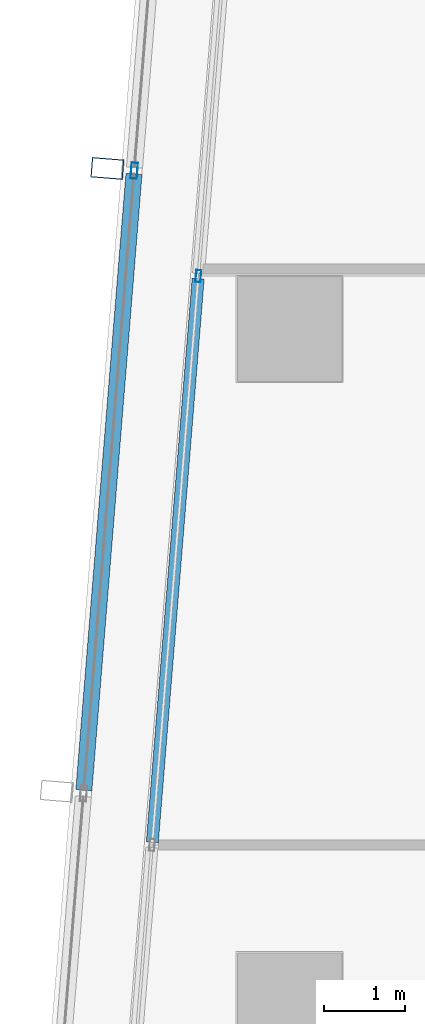
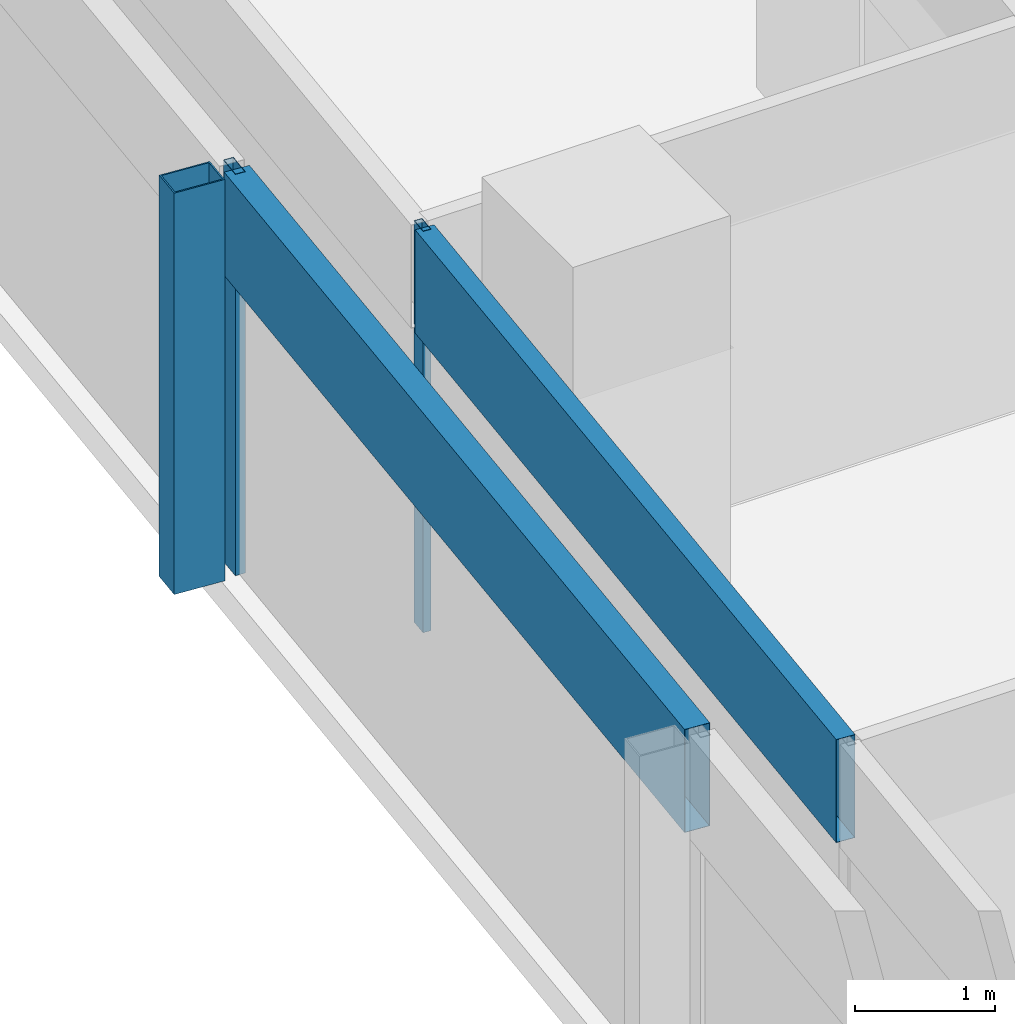
# One storey, part 8 of 28: 5 members, 2 elements without a shape of their own.
"""IFC4 building model written with IfcOpenShell, lengths in metres."""

from ifc_helpers import new_model, si_unit, direction, frame, origin, origin_2d, place, context, subcontext, project, spatial, hollow_rectangle, extrude, material, material_profile, profile_set, type_object, element, aggregate, save


model = new_model("IFC4")

# Units and contexts
model_context = context("Model", 3, precision=1e-05, world=origin(), true_north=direction((0.0, 1.0)))
body_context = subcontext(model_context, "Body", "Model", "MODEL_VIEW")
ifc_project = project(units=[si_unit("LENGTHUNIT", "METRE"), si_unit("AREAUNIT", "SQUARE_METRE"), si_unit("VOLUMEUNIT", "CUBIC_METRE"), si_unit("PLANEANGLEUNIT", "RADIAN"), si_unit("MASSUNIT", "GRAM", prefix="KILO")], contexts=[model_context])

# Site, building, storey
site_placement = place(None, origin())
site = spatial("IfcSite", under=ifc_project, at=site_placement, CompositionType="ELEMENT")
building_placement = place(site_placement, origin())
building = spatial("IfcBuilding", under=site, at=building_placement, Name="Rekha Terrace Tower", CompositionType="ELEMENT")
storey_placement = place(building_placement, frame((0.0, 0.0, 253.85009765625)))
storey = spatial("IfcBuildingStorey", under=building, at=storey_placement, Name="L64", CompositionType="ELEMENT", Elevation=253.85009765625)

# Curtain wall, member
ifc_material_1 = material(Name="Aluminium framing", Category="aluminium")
curtain_wall_type_1 = type_object("IfcCurtainWallType", Name="CW2 double skin outer glazing", PredefinedType="USERDEFINED", material=ifc_material_1)
curtain_wall_1_placement = place(storey_placement, origin())
curtain_wall_1 = element("IfcCurtainWall", 1, at=curtain_wall_1_placement, inside=storey, type_object=curtain_wall_type_1, Name="CW2 double skin outer glazing", ObjectType="DOUBLE SKIN OUTER GLAZING", PredefinedType="USERDEFINED")
ifc_material_2 = material(Name="Steel S355 with fluorocarbon finish", Category="steel")
ifc_material_profile_1 = material_profile(ifc_material_2, hollow_rectangle(XDim=0.25, YDim=0.39990234375, WallThickness=0.012451171875, at=origin_2d()), Name="RHS400x250x12.5")
ifc_profile_set_1 = profile_set([ifc_material_profile_1], Name="Steel S355 with fluorocarbon finish")
member_type_1 = type_object("IfcMemberType", Name="BL1 facade blade RHS 400 x 250", PredefinedType="USERDEFINED", material=ifc_profile_set_1)
member_1_placement = place(storey_placement, frame((6.135498046875, 43.9931640625, 0.0), z_axis=(0.0, 0.0, 1.0), x_axis=(-0.081068747348, -0.996708512156, 0.0)))
member_1 = element("IfcMember", 2, at=member_1_placement, type_object=member_type_1, Name="Facade blade", ObjectType="FACADE BLADE", PredefinedType="USERDEFINED", context=body_context, shape_type="SweptSolid", body=[
    extrude(hollow_rectangle(XDim=0.25, YDim=0.39990234375, WallThickness=0.012451171875, at=origin_2d()), origin(), (0.0, 0.0, 1.0), 3.5),
])

# Curtain wall, members
curtain_wall_type_2 = type_object("IfcCurtainWallType", Name="CW1 double skin inner glazing", PredefinedType="USERDEFINED", material=ifc_material_1)
curtain_wall_2_placement = place(storey_placement, origin())
curtain_wall_2 = element("IfcCurtainWall", 3, at=curtain_wall_2_placement, inside=storey, type_object=curtain_wall_type_2, Name="CW1 double skin inner glazing", ObjectType="DOUBLE SKIN INNER GLAZING", PredefinedType="USERDEFINED")
ifc_material_3 = material(Name="Aluminium mullion section", Category="aluminium")
ifc_material_profile_2 = material_profile(ifc_material_3, hollow_rectangle(XDim=0.06494140625, YDim=0.14990234375, WallThickness=0.00390625, at=origin_2d()), Name="AL RHS 65x150")
ifc_profile_set_2 = profile_set([ifc_material_profile_2], Name="Aluminium mullion section")
member_type_2 = type_object("IfcMemberType", Name="CW1 mullion RHS 65 x 150", PredefinedType="MULLION", material=ifc_profile_set_2)
member_2_placement = place(storey_placement, frame((7.265625, 42.65625, 0.0), z_axis=(0.0, 0.0, 1.0), x_axis=(0.996708580524, -0.081067906781, 0.0)))
member_2 = element("IfcMember", 4, at=member_2_placement, type_object=member_type_2, Name="CW1 mullion 2", PredefinedType="MULLION", context=body_context, shape_type="SweptSolid", body=[
    extrude(hollow_rectangle(XDim=0.06494140625, YDim=0.14990234375, WallThickness=0.00390625, at=origin_2d()), origin(), (0.0, 0.0, 1.0), 3.5),
])
ifc_material_4 = material(Name="Insulated aluminium spandrel box", Category="aluminium")
ifc_material_profile_3 = material_profile(ifc_material_4, hollow_rectangle(XDim=0.14990234375, YDim=0.89990234375, WallThickness=0.0029296875, at=origin_2d()), Name="AL SPANDREL BOX 150x900")
ifc_profile_set_3 = profile_set([ifc_material_profile_3], Name="Insulated aluminium spandrel box")
member_type_3 = type_object("IfcMemberType", Name="CW1 spandrel transom 150 x 900", PredefinedType="USERDEFINED", material=ifc_profile_set_3)
member_3_placement = place(storey_placement, frame((7.26318359375, 42.623779296875, 3.0498046875), z_axis=(-0.081080883426, -0.996707524976, 0.0), x_axis=(0.996707524976, -0.081080883426, 0.0)))
member_3 = element("IfcMember", 5, at=member_3_placement, type_object=member_type_3, Name="CW1 spandrel transom 2", ObjectType="TRANSOM", PredefinedType="USERDEFINED", context=body_context, shape_type="SweptSolid", body=[
    extrude(hollow_rectangle(XDim=0.14990234375, YDim=0.89990234375, WallThickness=0.0029296875, at=origin_2d()), origin(), (0.0, 0.0, 1.0), 7.02490234375),
])
aggregate(curtain_wall_2, [member_2, member_3])

# Member
ifc_material_profile_4 = material_profile(ifc_material_3, hollow_rectangle(XDim=0.080078125, YDim=0.199951171875, WallThickness=0.00390625, at=origin_2d()), Name="AL RHS 80x200")
ifc_profile_set_4 = profile_set([ifc_material_profile_4], Name="Aluminium mullion section")
member_type_4 = type_object("IfcMemberType", Name="CW2 mullion RHS 80 x 200", PredefinedType="MULLION", material=ifc_profile_set_4)
member_4_placement = place(storey_placement, frame((6.46923828125, 43.9658203125, 0.0), z_axis=(0.0, 0.0, 1.0), x_axis=(0.996708580521, -0.081067906816, 0.0)))
member_4 = element("IfcMember", 6, at=member_4_placement, type_object=member_type_4, Name="CW2 mullion 2", PredefinedType="MULLION", context=body_context, shape_type="SweptSolid", body=[
    extrude(hollow_rectangle(XDim=0.080078125, YDim=0.199951171875, WallThickness=0.00390625, at=origin_2d()), origin(), (0.0, 0.0, 1.0), 3.5),
])

ifc_material_profile_5 = material_profile(ifc_material_4, hollow_rectangle(XDim=0.199951171875, YDim=0.89990234375, WallThickness=0.0029296875, at=origin_2d()), Name="AL SPANDREL BOX 200x900")
ifc_profile_set_5 = profile_set([ifc_material_profile_5], Name="Insulated aluminium spandrel box")
member_type_5 = type_object("IfcMemberType", Name="CW2 spandrel transom 200 x 900", PredefinedType="USERDEFINED", material=ifc_profile_set_5)
member_5_placement = place(storey_placement, frame((6.466064453125, 43.926025390625, 3.0498046875), z_axis=(-0.081082991857, -0.996707353455, 0.0), x_axis=(0.996707353455, -0.081082991857, 0.0)))
member_5 = element("IfcMember", 7, at=member_5_placement, type_object=member_type_5, Name="CW2 spandrel transom 2", ObjectType="TRANSOM", PredefinedType="USERDEFINED", context=body_context, shape_type="SweptSolid", body=[
    extrude(hollow_rectangle(XDim=0.199951171875, YDim=0.89990234375, WallThickness=0.0029296875, at=origin_2d()), origin(), (0.0, 0.0, 1.0), 7.68115234375),
])

aggregate(curtain_wall_1, [member_4, member_5, member_1])

save(model, "model.ifc")
